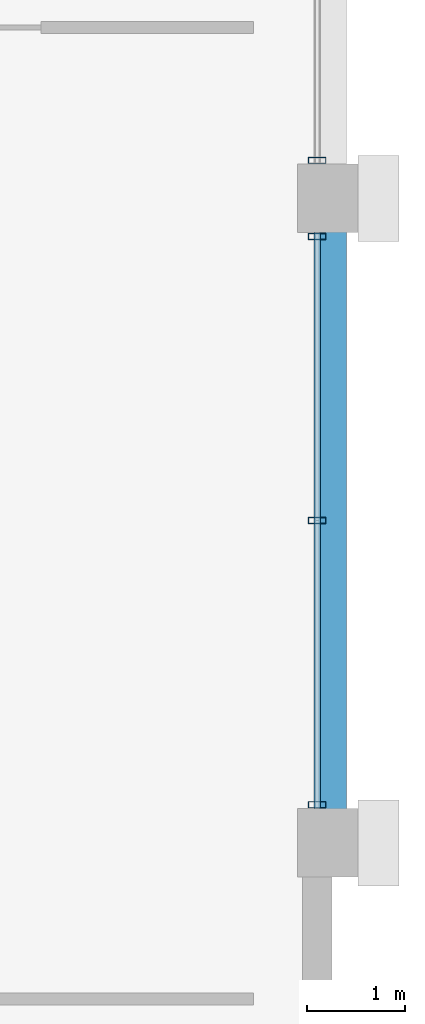
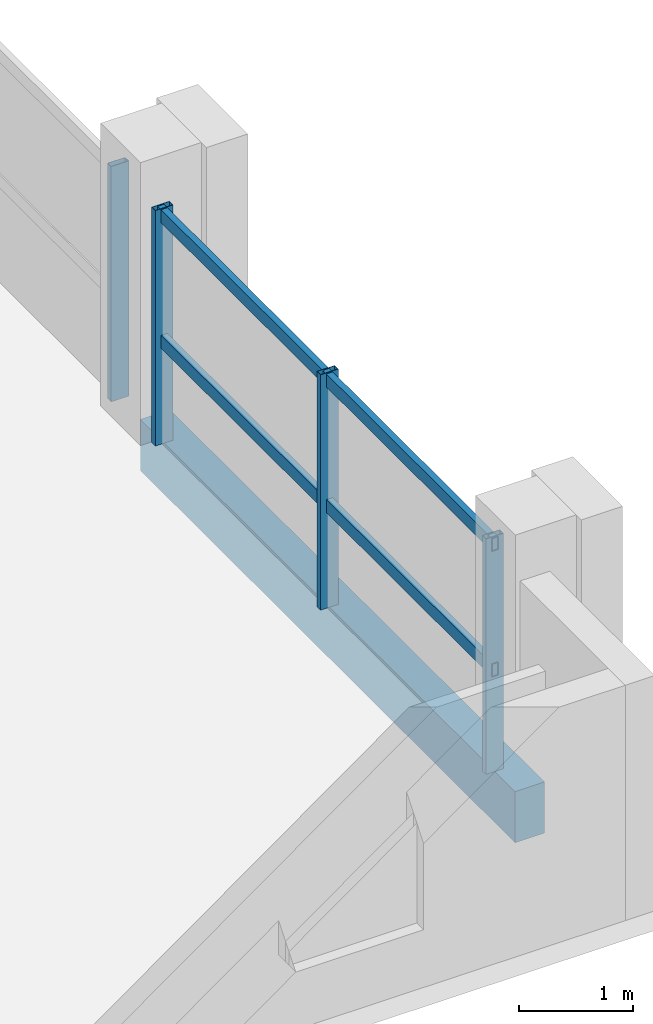
# One storey, part 11 of 24: 6 members, 1 beam, 2 elements without a shape of their own.
"""IFC4 building model written with IfcOpenShell, lengths in metres."""

from ifc_helpers import new_model, si_unit, direction, frame, origin, origin_2d, place, context, subcontext, project, spatial, rectangle, hollow_rectangle, extrude, material, material_profile, profile_set, type_object, element, aggregate, save


model = new_model("IFC4")

# Units and contexts
model_context = context("Model", 3, precision=1e-05, world=origin(), true_north=direction((0.0, 1.0)))
body_context = subcontext(model_context, "Body", "Model", "MODEL_VIEW")
ifc_project = project(units=[si_unit("LENGTHUNIT", "METRE"), si_unit("AREAUNIT", "SQUARE_METRE"), si_unit("VOLUMEUNIT", "CUBIC_METRE"), si_unit("PLANEANGLEUNIT", "RADIAN"), si_unit("MASSUNIT", "GRAM", prefix="KILO")], contexts=[model_context])

# Site, building, storey
site_placement = place(None, origin())
site = spatial("IfcSite", under=ifc_project, at=site_placement, CompositionType="ELEMENT")
building_placement = place(site_placement, origin())
building = spatial("IfcBuilding", under=site, at=building_placement, Name="Akrevak Sports Hall", CompositionType="ELEMENT")
storey_placement = place(building_placement, frame((0.0, 0.0, 60.050048828125)))
storey = spatial("IfcBuildingStorey", under=building, at=storey_placement, Name="L15", CompositionType="ELEMENT", Elevation=60.050048828125)

# Curtain wall, members
ifc_material_1 = material(Name="Anodized Bronze Aluminium & Low-E Glass", Category="aluminium")
curtain_wall_type = type_object("IfcCurtainWallType", Name="ARC-CW-TWR-56x30", PredefinedType="NOTDEFINED", material=ifc_material_1)
curtain_wall_1_placement = place(storey_placement, origin())
curtain_wall_1 = element("IfcCurtainWall", 1, at=curtain_wall_1_placement, inside=storey, type_object=curtain_wall_type, Name="Curtain Wall CW-L15-E11", PredefinedType="NOTDEFINED")
ifc_material_2 = material(Name="Anodized Bronze Aluminium", Category="aluminium")
ifc_material_profile_1 = material_profile(ifc_material_2, hollow_rectangle(XDim=0.06494140625, YDim=0.179931640625, WallThickness=0.00390625, at=origin_2d()), Name="CWM 65x180", Category="aluminium")
ifc_profile_set_1 = profile_set([ifc_material_profile_1], Name="Anodized Bronze Aluminium")
member_type_1 = type_object("IfcMemberType", Name="ARC-CWM-65x140", PredefinedType="MULLION", material=ifc_profile_set_1)
member_1_placement = place(storey_placement, frame((107.85009765625, 42.389892578125, 0.0), z_axis=(0.0, 0.0, 1.0), x_axis=(0.0, 1.0, 0.0)))
member_1 = element("IfcMember", 2, at=member_1_placement, type_object=member_type_1, Name="Curtain Wall Mullion CW-L15-E11-M1", PredefinedType="MULLION", context=body_context, shape_type="SweptSolid", body=[
    extrude(hollow_rectangle(XDim=0.06494140625, YDim=0.179931640625, WallThickness=0.00390625, at=origin_2d()), origin(), (0.0, 0.0, 1.0), 2.530029296875),
])
member_2_placement = place(storey_placement, frame((107.85009765625, 45.300048828125, 0.0), z_axis=(0.0, 0.0, 1.0), x_axis=(0.0, 1.0, 0.0)))
member_2 = element("IfcMember", 3, at=member_2_placement, type_object=member_type_1, Name="Curtain Wall Mullion CW-L15-E11-M2", PredefinedType="MULLION", context=body_context, shape_type="SweptSolid", body=[
    extrude(hollow_rectangle(XDim=0.06494140625, YDim=0.179931640625, WallThickness=0.00390625, at=origin_2d()), origin(), (0.0, 0.0, 1.0), 2.530029296875),
])
member_3_placement = place(storey_placement, frame((107.85009765625, 48.2099609375, 0.0), z_axis=(0.0, 0.0, 1.0), x_axis=(0.0, 1.0, 0.0)))
member_3 = element("IfcMember", 4, at=member_3_placement, type_object=member_type_1, Name="Curtain Wall Mullion CW-L15-E11-M3", PredefinedType="MULLION", context=body_context, shape_type="SweptSolid", body=[
    extrude(hollow_rectangle(XDim=0.06494140625, YDim=0.179931640625, WallThickness=0.00390625, at=origin_2d()), origin(), (0.0, 0.0, 1.0), 2.530029296875),
])

# Curtain wall, member
curtain_wall_2_placement = place(storey_placement, origin())
curtain_wall_2 = element("IfcCurtainWall", 5, at=curtain_wall_2_placement, inside=storey, type_object=curtain_wall_type, Name="Curtain Wall CW-L15-E12", PredefinedType="NOTDEFINED")
member_4_placement = place(storey_placement, frame((107.85009765625, 48.989990234375, 0.0), z_axis=(0.0, 0.0, 1.0), x_axis=(0.0, 1.0, 0.0)))
member_4 = element("IfcMember", 6, at=member_4_placement, type_object=member_type_1, Name="Curtain Wall Mullion CW-L15-E12-M1", PredefinedType="MULLION", context=body_context, shape_type="SweptSolid", body=[
    extrude(hollow_rectangle(XDim=0.06494140625, YDim=0.179931640625, WallThickness=0.00390625, at=origin_2d()), origin(), (0.0, 0.0, 1.0), 2.530029296875),
])
aggregate(curtain_wall_2, [member_4])

# Member
ifc_material_profile_2 = material_profile(ifc_material_2, hollow_rectangle(XDim=0.06494140625, YDim=0.139892578125, WallThickness=0.00390625, at=origin_2d()), Name="CWT 65x140", Category="aluminium")
ifc_profile_set_2 = profile_set([ifc_material_profile_2], Name="Anodized Bronze Aluminium")
member_type_2 = type_object("IfcMemberType", Name="ARC-CWT-65x110", PredefinedType="USERDEFINED", material=ifc_profile_set_2)
member_5_placement = place(storey_placement, frame((107.85009765625, 42.35009765625, 1.099853515625), z_axis=(0.0, 1.0, 0.0), x_axis=(-1.0, 0.0, 0.0)))
member_5 = element("IfcMember", 7, at=member_5_placement, type_object=member_type_2, Name="Curtain Wall Transom CW-L15-E11-T1", ObjectType="TRANSOM", PredefinedType="USERDEFINED", context=body_context, shape_type="SweptSolid", body=[
    extrude(hollow_rectangle(XDim=0.06494140625, YDim=0.139892578125, WallThickness=0.00390625, at=origin_2d()), origin(), (0.0, 0.0, 1.0), 5.89990234375),
])

member_6_placement = place(storey_placement, frame((107.85009765625, 42.35009765625, 2.449951171875), z_axis=(0.0, 1.0, 0.0), x_axis=(-1.0, 0.0, 0.0)))
member_6 = element("IfcMember", 8, at=member_6_placement, type_object=member_type_2, Name="Curtain Wall Transom CW-L15-E11-T2", ObjectType="TRANSOM", PredefinedType="USERDEFINED", context=body_context, shape_type="SweptSolid", body=[
    extrude(hollow_rectangle(XDim=0.06494140625, YDim=0.139892578125, WallThickness=0.00390625, at=origin_2d()), origin(), (0.0, 0.0, 1.0), 5.89990234375),
])

aggregate(curtain_wall_1, [member_1, member_2, member_3, member_5, member_6])

# Beam
ifc_material_3 = material(Name="Concrete C40/50", Category="concrete")
ifc_material_profile_3 = material_profile(ifc_material_3, rectangle(XDim=0.300048828125, YDim=0.550048828125, at=origin_2d()), Name="BM 300x550", Category="concrete")
ifc_profile_set_3 = profile_set([ifc_material_profile_3], Name="Concrete C40/50")
beam_type = type_object("IfcBeamType", Name="STR-BM-RC300x550", PredefinedType="BEAM", material=ifc_profile_set_3)
beam_placement = place(storey_placement, frame((108.0, 42.0, -0.275146484375), z_axis=(0.0, 1.0, 0.0), x_axis=(-1.0, 0.0, 0.0)))
element("IfcBeam", 9, at=beam_placement, inside=storey, type_object=beam_type, Name="Girder 15/G-H (L15)", PredefinedType="BEAM", context=body_context, shape_type="SweptSolid", body=[
    extrude(rectangle(XDim=0.300048828125, YDim=0.550048828125, at=origin_2d()), origin(), (0.0, 0.0, 1.0), 6.60009765625),
])

save(model, "model.ifc")
